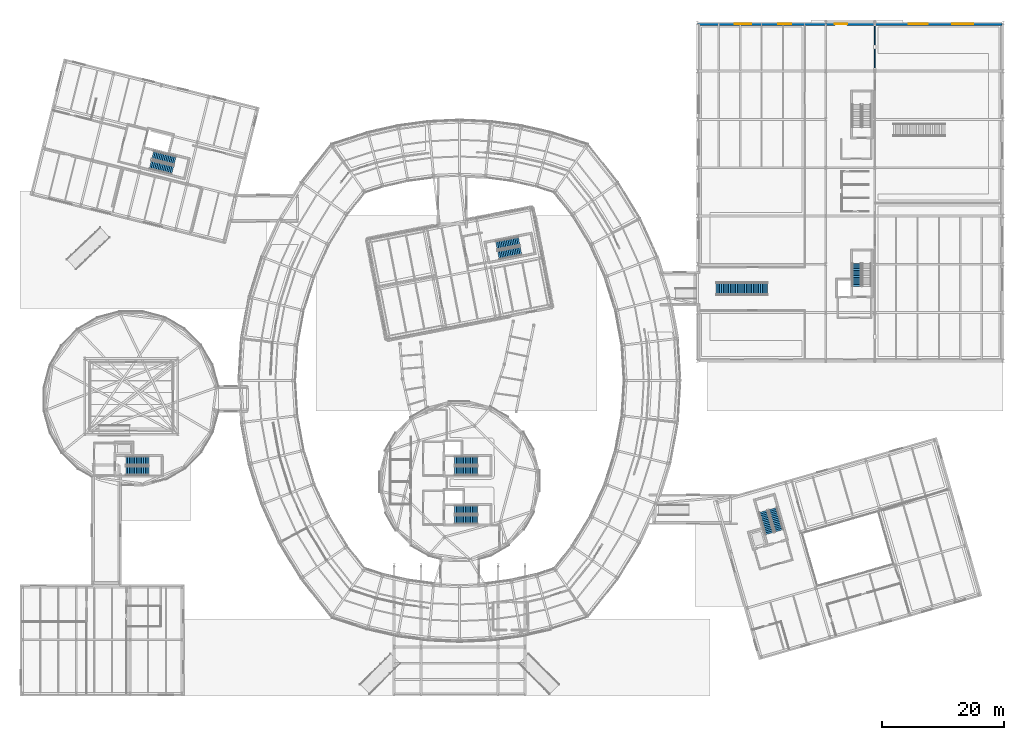
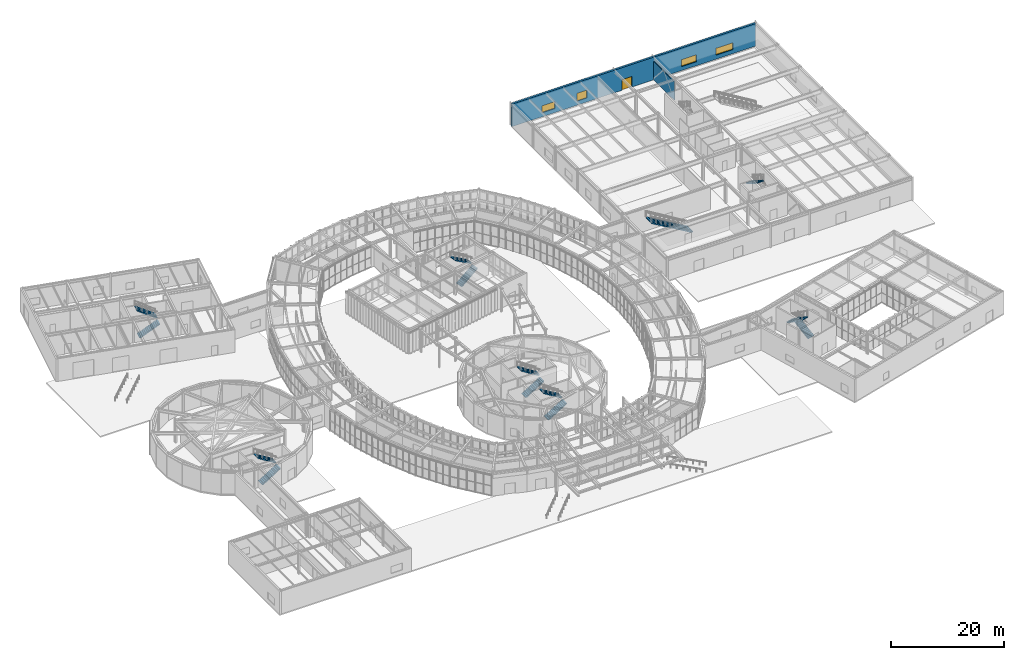
# One storey, part 80 of 97: 14 stair flights, 4 windows, 2 walls, 1 door, 5 openings, 8 elements without a shape of their own.
"""IFC4 building model written with IfcOpenShell, lengths in metres."""

from ifc_helpers import new_model, si_unit, direction, frame, frame_2d, origin, place, context, subcontext, project, spatial, polyline, rectangle, outline, extrude, material, layer, layer_set, type_object, element, fill, aggregate, save


model = new_model("IFC4")

# Units and contexts
model_context = context("Model", 3, precision=1e-05, world=origin(), true_north=direction((0.0, 1.0)))
body_context = subcontext(model_context, "Body", "Model", "MODEL_VIEW")
ifc_project = project(units=[si_unit("LENGTHUNIT", "METRE"), si_unit("AREAUNIT", "SQUARE_METRE"), si_unit("VOLUMEUNIT", "CUBIC_METRE"), si_unit("PLANEANGLEUNIT", "RADIAN"), si_unit("MASSUNIT", "GRAM", prefix="KILO")], contexts=[model_context])

# Site, building, storey
site_placement = place(None, origin())
site = spatial("IfcSite", under=ifc_project, at=site_placement, CompositionType="ELEMENT")
building_placement = place(site_placement, origin())
building = spatial("IfcBuilding", under=site, at=building_placement, Name="Varnklinge Art Gallery", CompositionType="ELEMENT")
storey_placement = place(building_placement, origin())
storey = spatial("IfcBuildingStorey", under=building, at=storey_placement, Name="L00", CompositionType="ELEMENT", Elevation=0.0)

# Wall, openings, door, windows
ifc_material_1 = material(Name="Concrete C45/55", Category="concrete")
ifc_layer_1 = layer(ifc_material_1, 0.39990234375)
ifc_layer_set_1 = layer_set([ifc_layer_1], Name="Concrete C45/55")
wall_type_1 = type_object("IfcWallType", Name="EW-40", PredefinedType="SOLIDWALL", material=ifc_layer_set_1)
wall_1_placement = place(storey_placement, frame((114.39990234375, 113.300048828125, 0.0), z_axis=(0.0, 0.0, 1.0), x_axis=(1.0, 0.0, 0.0)))
wall_1 = element("IfcWall", 1, at=wall_1_placement, inside=storey, type_object=wall_type_1, Name="L00 Exterior Wall EW-V1-L00-03", PredefinedType="SOLIDWALL", context=body_context, shape_type="SweptSolid", body=[
    extrude(rectangle(XDim=49.800048828125, YDim=0.39990234375, at=frame_2d((24.89990234375, 0.0))), origin(), (0.0, 0.0, 1.0), 4.8798828125),
])
opening_1_placement = place(wall_1_placement, frame((22.5, 0.0, 0.0)))
opening_1 = element("IfcOpeningElement", 2, at=opening_1_placement, cuts=wall_1, Name="Opening D-L00-E01", PredefinedType="OPENING", context=body_context, shape_type="SweptSolid", body=[
    extrude(rectangle(XDim=2.0, YDim=2.300048828125, at=frame_2d((1.0, 1.14990234375))), frame((0.0, 0.2099609375, 0.0), z_axis=(0.0, -1.0, 0.0), x_axis=(1.0, 0.0, 0.0)), (0.0, 0.0, 1.0), 0.419921875),
])
opening_2_placement = place(wall_1_placement, frame((6.1142578125, 0.0, 0.85009765625)))
opening_2 = element("IfcOpeningElement", 3, at=opening_2_placement, cuts=wall_1, Name="Opening WN-08", PredefinedType="OPENING", context=body_context, shape_type="SweptSolid", body=[
    extrude(rectangle(XDim=2.699951171875, YDim=1.5, at=frame_2d((1.35009765625, 0.75))), frame((0.0, 0.2099609375, 0.0), z_axis=(0.0, -1.0, 0.0), x_axis=(1.0, 0.0, 0.0)), (0.0, 0.0, 1.0), 0.419921875),
])
opening_3_placement = place(wall_1_placement, frame((13.228515625, 0.0, 0.85009765625)))
opening_3 = element("IfcOpeningElement", 4, at=opening_3_placement, cuts=wall_1, Name="Opening WN-12", PredefinedType="OPENING", context=body_context, shape_type="SweptSolid", body=[
    extrude(rectangle(XDim=2.10009765625, YDim=1.699951171875, at=frame_2d((1.050048828125, 0.85009765625))), frame((0.0, 0.2099609375, 0.0), z_axis=(0.0, -1.0, 0.0), x_axis=(1.0, 0.0, 0.0)), (0.0, 0.0, 1.0), 0.419921875),
])
opening_4_placement = place(wall_1_placement, frame((34.5712890625, 0.0, 0.85009765625)))
opening_4 = element("IfcOpeningElement", 5, at=opening_4_placement, cuts=wall_1, Name="Opening WN-19", PredefinedType="OPENING", context=body_context, shape_type="SweptSolid", body=[
    extrude(rectangle(XDim=3.10009765625, YDim=1.5, at=frame_2d((1.550048828125, 0.75))), frame((0.0, 0.2099609375, 0.0), z_axis=(0.0, -1.0, 0.0), x_axis=(1.0, 0.0, 0.0)), (0.0, 0.0, 1.0), 0.419921875),
])
opening_5_placement = place(wall_1_placement, frame((41.685791015625, 0.0, 0.85009765625)))
opening_5 = element("IfcOpeningElement", 6, at=opening_5_placement, cuts=wall_1, Name="Opening WN-20", PredefinedType="OPENING", context=body_context, shape_type="SweptSolid", body=[
    extrude(rectangle(XDim=3.39990234375, YDim=1.5, at=frame_2d((1.699951171875, 0.75))), frame((0.0, 0.2099609375, 0.0), z_axis=(0.0, -1.0, 0.0), x_axis=(1.0, 0.0, 0.0)), (0.0, 0.0, 1.0), 0.419921875),
])
ifc_material_2 = material(Name="Anodised Aluminium", Category="aluminium")
door_type = type_object("IfcDoorType", Name="ED-01", OperationType="DOUBLE_DOOR_SINGLE_SWING", PredefinedType="DOOR", material=ifc_material_2)
door_placement = place(opening_1_placement, origin())
door = element("IfcDoor", 7, at=door_placement, inside=storey, type_object=door_type, Name="L00 Shell Hall North Spine Final Exit Door D-L00-E01", OperationType="DOUBLE_DOOR_SINGLE_SWING", OverallHeight=2.300048828125, OverallWidth=2.0, PredefinedType="DOOR", context=body_context, shape_type="SweptSolid", body=[
    extrude(rectangle(XDim=2.0, YDim=2.300048828125, at=frame_2d((1.0, 1.14990234375))), frame((0.0, 0.02490234375, 0.0), z_axis=(0.0, -1.0, 0.0), x_axis=(1.0, 0.0, 0.0)), (0.0, 0.0, 1.0), 0.050048828125),
])
fill(opening_1, door)
ifc_material_3 = material(Name="Insulated Low-E Triple Glazing", Category="glass")
window_type_1 = type_object("IfcWindowType", Name="WN-08", PartitioningType="SINGLE_PANEL", PredefinedType="WINDOW", material=ifc_material_3)
window_1_placement = place(opening_2_placement, origin())
window_1 = element("IfcWindow", 8, at=window_1_placement, inside=storey, type_object=window_type_1, Name="L00 Window WIN-L00-005", OverallHeight=1.5, OverallWidth=2.699951171875, PartitioningType="SINGLE_PANEL", PredefinedType="WINDOW", context=body_context, shape_type="SweptSolid", body=[
    extrude(rectangle(XDim=2.699951171875, YDim=1.5, at=frame_2d((1.35009765625, 0.75))), frame((0.0, 0.030029296875, 0.0), z_axis=(0.0, -1.0, 0.0), x_axis=(1.0, 0.0, 0.0)), (0.0, 0.0, 1.0), 0.06005859375),
])
fill(opening_2, window_1)
ifc_material_4 = material(Name="Insulated Low-E Triple Glazing", Category="glass")
window_type_2 = type_object("IfcWindowType", Name="WN-12", PartitioningType="SINGLE_PANEL", PredefinedType="WINDOW", material=ifc_material_4)
window_2_placement = place(opening_3_placement, origin())
window_2 = element("IfcWindow", 9, at=window_2_placement, inside=storey, type_object=window_type_2, Name="L00 Window WIN-L00-006", OverallHeight=1.699951171875, OverallWidth=2.10009765625, PartitioningType="SINGLE_PANEL", PredefinedType="WINDOW", context=body_context, shape_type="SweptSolid", body=[
    extrude(rectangle(XDim=2.10009765625, YDim=1.699951171875, at=frame_2d((1.050048828125, 0.85009765625))), frame((0.0, 0.030029296875, 0.0), z_axis=(0.0, -1.0, 0.0), x_axis=(1.0, 0.0, 0.0)), (0.0, 0.0, 1.0), 0.06005859375),
])
fill(opening_3, window_2)
ifc_material_5 = material(Name="Insulated Low-E Triple Glazing", Category="glass")
window_type_3 = type_object("IfcWindowType", Name="WN-19", PartitioningType="SINGLE_PANEL", PredefinedType="WINDOW", material=ifc_material_5)
window_3_placement = place(opening_4_placement, origin())
window_3 = element("IfcWindow", 10, at=window_3_placement, inside=storey, type_object=window_type_3, Name="L00 Window WIN-L00-007", OverallHeight=1.5, OverallWidth=3.10009765625, PartitioningType="SINGLE_PANEL", PredefinedType="WINDOW", context=body_context, shape_type="SweptSolid", body=[
    extrude(rectangle(XDim=3.10009765625, YDim=1.5, at=frame_2d((1.550048828125, 0.75))), frame((0.0, 0.030029296875, 0.0), z_axis=(0.0, -1.0, 0.0), x_axis=(1.0, 0.0, 0.0)), (0.0, 0.0, 1.0), 0.06005859375),
])
fill(opening_4, window_3)
ifc_material_6 = material(Name="Insulated Low-E Triple Glazing", Category="glass")
window_type_4 = type_object("IfcWindowType", Name="WN-20", PartitioningType="SINGLE_PANEL", PredefinedType="WINDOW", material=ifc_material_6)
window_4_placement = place(opening_5_placement, origin())
window_4 = element("IfcWindow", 11, at=window_4_placement, inside=storey, type_object=window_type_4, Name="L00 Window WIN-L00-008", OverallHeight=1.5, OverallWidth=3.39990234375, PartitioningType="SINGLE_PANEL", PredefinedType="WINDOW", context=body_context, shape_type="SweptSolid", body=[
    extrude(rectangle(XDim=3.39990234375, YDim=1.5, at=frame_2d((1.699951171875, 0.75))), frame((0.0, 0.030029296875, 0.0), z_axis=(0.0, -1.0, 0.0), x_axis=(1.0, 0.0, 0.0)), (0.0, 0.0, 1.0), 0.06005859375),
])
fill(opening_5, window_4)

# Wall
ifc_material_7 = material(Name="Gypsum Board Partition", Category="gypsum")
ifc_layer_2 = layer(ifc_material_7, 0.179931640625)
ifc_layer_set_2 = layer_set([ifc_layer_2], Name="Gypsum Board Partition")
wall_type_2 = type_object("IfcWallType", Name="IW-18", PredefinedType="PARTITIONING", material=ifc_layer_set_2)
wall_2_placement = place(storey_placement, frame((143.429931640625, 113.095947265625, 0.0), z_axis=(0.0, 0.0, 1.0), x_axis=(0.0, -1.0, 0.0)))
element("IfcWall", 12, at=wall_2_placement, inside=storey, type_object=wall_type_2, Name="L00 Partition Wall IW-L00-0051", PredefinedType="PARTITIONING", context=body_context, shape_type="SweptSolid", body=[
    extrude(rectangle(XDim=7.258056640625, YDim=0.179931640625, at=frame_2d((3.62890625, 0.0))), origin(), (0.0, 0.0, 1.0), 3.9599609375),
])

# Stair, stair flights
ifc_material_8 = material(Name="Concrete C40/50", Category="concrete")
stair_type_1 = type_object("IfcStairType", Name="STR-C5100", PredefinedType="HALF_TURN_STAIR", material=ifc_material_8)
stair_1_placement = place(storey_placement, origin())
stair_1 = element("IfcStair", 13, at=stair_1_placement, inside=storey, type_object=stair_type_1, Name="L00 Core C1 Stair ST-01", PredefinedType="HALF_TURN_STAIR")
ifc_material_9 = material(Name="Concrete C40/50", Category="concrete")
stair_flight_type_1 = type_object("IfcStairFlightType", Name="FLT-C5100", PredefinedType="STRAIGHT", material=ifc_material_9)
stair_flight_1_placement = place(storey_placement, frame((74.699951171875, 32.22509765625, 0.0), z_axis=(0.0, 0.0, 1.0), x_axis=(1.0, 0.0, 0.0)))
stair_flight_1 = element("IfcStairFlight", 14, at=stair_flight_1_placement, type_object=stair_flight_type_1, Name="ST-01 flight 1", NumberOfRisers=14, NumberOfTreads=13, PredefinedType="STRAIGHT", RiserHeight=0.182142857, TreadLength=0.29, context=body_context, shape_type="SweptSolid", body=[
    extrude(outline(polyline([(0.0, 0.0), (0.0, 0.18212890625), (0.2900390625, 0.18212890625), (0.2900390625, 0.3642578125), (0.580078125, 0.3642578125), (0.580078125, 0.54638671875), (0.8701171875, 0.54638671875), (0.8701171875, 0.728515625), (1.159912109375, 0.728515625), (1.159912109375, 0.91064453125), (1.449951171875, 0.91064453125), (1.449951171875, 1.0927734375), (1.739990234375, 1.0927734375), (1.739990234375, 1.27490234375), (2.030029296875, 1.27490234375), (2.030029296875, 1.45703125), (2.320068359375, 1.45703125), (2.320068359375, 1.639404296875), (2.610107421875, 1.639404296875), (2.610107421875, 1.821533203125), (2.89990234375, 1.821533203125), (2.89990234375, 2.003662109375), (3.18994140625, 2.003662109375), (3.18994140625, 2.185791015625), (3.47998046875, 2.185791015625), (3.47998046875, 2.367919921875), (3.77001953125, 2.367919921875), (3.77001953125, 2.550048828125), (3.77001953125, 2.178955078125), (0.300537109375, 0.0), (0.0, 0.0)])), frame((0.0, 0.72509765625, 0.0), z_axis=(0.0, -1.0, 0.0), x_axis=(1.0, 0.0, 0.0)), (0.0, 0.0, 1.0), 1.449951171875),
])
stair_flight_2_placement = place(storey_placement, frame((78.469970703125, 33.8349609375, 2.550048828125), z_axis=(0.0, 0.0, 1.0), x_axis=(-1.0, 0.0, 0.0)))
stair_flight_2 = element("IfcStairFlight", 15, at=stair_flight_2_placement, type_object=stair_flight_type_1, Name="ST-01 flight 2", NumberOfRisers=14, NumberOfTreads=13, PredefinedType="STRAIGHT", RiserHeight=0.182142857, TreadLength=0.29, context=body_context, shape_type="SweptSolid", body=[
    extrude(outline(polyline([(0.0, 0.0), (0.0, 0.18212890625), (0.2900390625, 0.18212890625), (0.2900390625, 0.3642578125), (0.580078125, 0.3642578125), (0.580078125, 0.54638671875), (0.8701171875, 0.54638671875), (0.8701171875, 0.728515625), (1.159912109375, 0.728515625), (1.159912109375, 0.91064453125), (1.449951171875, 0.91064453125), (1.449951171875, 1.0927734375), (1.739990234375, 1.0927734375), (1.739990234375, 1.27490234375), (2.030029296875, 1.27490234375), (2.030029296875, 1.45703125), (2.320068359375, 1.45703125), (2.320068359375, 1.639404296875), (2.610107421875, 1.639404296875), (2.610107421875, 1.821533203125), (2.89990234375, 1.821533203125), (2.89990234375, 2.003662109375), (3.18994140625, 2.003662109375), (3.18994140625, 2.185791015625), (3.47998046875, 2.185791015625), (3.47998046875, 2.367919921875), (3.77001953125, 2.367919921875), (3.77001953125, 2.550048828125), (3.77001953125, 2.178955078125), (0.300537109375, 0.0), (0.0, 0.0)])), frame((0.0, 0.72509765625, 0.0), z_axis=(0.0, -1.0, 0.0), x_axis=(1.0, 0.0, 0.0)), (0.0, 0.0, 1.0), 1.449951171875),
])
aggregate(stair_1, [stair_flight_1, stair_flight_2])

stair_2_placement = place(storey_placement, origin())
stair_2 = element("IfcStair", 16, at=stair_2_placement, inside=storey, type_object=stair_type_1, Name="L00 Core C2 Stair ST-02", PredefinedType="HALF_TURN_STAIR")
stair_flight_3_placement = place(storey_placement, frame((74.699951171875, 40.22509765625, 0.0), z_axis=(0.0, 0.0, 1.0), x_axis=(1.0, 0.0, 0.0)))
stair_flight_3 = element("IfcStairFlight", 17, at=stair_flight_3_placement, type_object=stair_flight_type_1, Name="ST-02 flight 1", NumberOfRisers=14, NumberOfTreads=13, PredefinedType="STRAIGHT", RiserHeight=0.182142857, TreadLength=0.29, context=body_context, shape_type="SweptSolid", body=[
    extrude(outline(polyline([(0.0, 0.0), (0.0, 0.18212890625), (0.2900390625, 0.18212890625), (0.2900390625, 0.3642578125), (0.580078125, 0.3642578125), (0.580078125, 0.54638671875), (0.8701171875, 0.54638671875), (0.8701171875, 0.728515625), (1.159912109375, 0.728515625), (1.159912109375, 0.91064453125), (1.449951171875, 0.91064453125), (1.449951171875, 1.0927734375), (1.739990234375, 1.0927734375), (1.739990234375, 1.27490234375), (2.030029296875, 1.27490234375), (2.030029296875, 1.45703125), (2.320068359375, 1.45703125), (2.320068359375, 1.639404296875), (2.610107421875, 1.639404296875), (2.610107421875, 1.821533203125), (2.89990234375, 1.821533203125), (2.89990234375, 2.003662109375), (3.18994140625, 2.003662109375), (3.18994140625, 2.185791015625), (3.47998046875, 2.185791015625), (3.47998046875, 2.367919921875), (3.77001953125, 2.367919921875), (3.77001953125, 2.550048828125), (3.77001953125, 2.178955078125), (0.300537109375, 0.0), (0.0, 0.0)])), frame((0.0, 0.72509765625, 0.0), z_axis=(0.0, -1.0, 0.0), x_axis=(1.0, 0.0, 0.0)), (0.0, 0.0, 1.0), 1.449951171875),
])
stair_flight_4_placement = place(storey_placement, frame((78.469970703125, 41.8349609375, 2.550048828125), z_axis=(0.0, 0.0, 1.0), x_axis=(-1.0, 0.0, 0.0)))
stair_flight_4 = element("IfcStairFlight", 18, at=stair_flight_4_placement, type_object=stair_flight_type_1, Name="ST-02 flight 2", NumberOfRisers=14, NumberOfTreads=13, PredefinedType="STRAIGHT", RiserHeight=0.182142857, TreadLength=0.29, context=body_context, shape_type="SweptSolid", body=[
    extrude(outline(polyline([(0.0, 0.0), (0.0, 0.18212890625), (0.2900390625, 0.18212890625), (0.2900390625, 0.3642578125), (0.580078125, 0.3642578125), (0.580078125, 0.54638671875), (0.8701171875, 0.54638671875), (0.8701171875, 0.728515625), (1.159912109375, 0.728515625), (1.159912109375, 0.91064453125), (1.449951171875, 0.91064453125), (1.449951171875, 1.0927734375), (1.739990234375, 1.0927734375), (1.739990234375, 1.27490234375), (2.030029296875, 1.27490234375), (2.030029296875, 1.45703125), (2.320068359375, 1.45703125), (2.320068359375, 1.639404296875), (2.610107421875, 1.639404296875), (2.610107421875, 1.821533203125), (2.89990234375, 1.821533203125), (2.89990234375, 2.003662109375), (3.18994140625, 2.003662109375), (3.18994140625, 2.185791015625), (3.47998046875, 2.185791015625), (3.47998046875, 2.367919921875), (3.77001953125, 2.367919921875), (3.77001953125, 2.550048828125), (3.77001953125, 2.178955078125), (0.300537109375, 0.0), (0.0, 0.0)])), frame((0.0, 0.72509765625, 0.0), z_axis=(0.0, -1.0, 0.0), x_axis=(1.0, 0.0, 0.0)), (0.0, 0.0, 1.0), 1.449951171875),
])
aggregate(stair_2, [stair_flight_3, stair_flight_4])

# Stair, stair flight
stair_3_placement = place(storey_placement, origin())
stair_3 = element("IfcStair", 19, at=stair_3_placement, inside=storey, type_object=stair_type_1, Name="L00 Core C3 Stair ST-03", PredefinedType="HALF_TURN_STAIR")
stair_flight_5_placement = place(storey_placement, frame((140.465087890625, 74.169921875, 2.550048828125), z_axis=(0.0, 0.0, 1.0), x_axis=(0.0, -1.0, 0.0)))
stair_flight_5 = element("IfcStairFlight", 20, at=stair_flight_5_placement, type_object=stair_flight_type_1, Name="ST-03 flight 2", NumberOfRisers=14, NumberOfTreads=13, PredefinedType="STRAIGHT", RiserHeight=0.182142857, TreadLength=0.29, context=body_context, shape_type="SweptSolid", body=[
    extrude(outline(polyline([(0.0, 0.0), (0.0, 0.18212890625), (0.2900390625, 0.18212890625), (0.2900390625, 0.3642578125), (0.580078125, 0.3642578125), (0.580078125, 0.54638671875), (0.8701171875, 0.54638671875), (0.8701171875, 0.728515625), (1.159912109375, 0.728515625), (1.159912109375, 0.91064453125), (1.449951171875, 0.91064453125), (1.449951171875, 1.0927734375), (1.739990234375, 1.0927734375), (1.739990234375, 1.27490234375), (2.030029296875, 1.27490234375), (2.030029296875, 1.45703125), (2.320068359375, 1.45703125), (2.320068359375, 1.639404296875), (2.610107421875, 1.639404296875), (2.610107421875, 1.821533203125), (2.89990234375, 1.821533203125), (2.89990234375, 2.003662109375), (3.18994140625, 2.003662109375), (3.18994140625, 2.185791015625), (3.47998046875, 2.185791015625), (3.47998046875, 2.367919921875), (3.77001953125, 2.367919921875), (3.77001953125, 2.550048828125), (3.77001953125, 2.178955078125), (0.300537109375, 0.0), (0.0, 0.0)])), frame((0.0, 0.72509765625, 0.0), z_axis=(0.0, -1.0, 0.0), x_axis=(1.0, 0.0, 0.0)), (0.0, 0.0, 1.0), 1.449951171875),
])
aggregate(stair_3, [stair_flight_5])

# Stair, stair flights
stair_4_placement = place(storey_placement, origin())
stair_4 = element("IfcStair", 21, at=stair_4_placement, inside=storey, type_object=stair_type_1, Name="L00 Core C4 Stair ST-04", PredefinedType="HALF_TURN_STAIR")
stair_flight_6_placement = place(storey_placement, frame((24.911865234375, 90.300537109375, 0.0), z_axis=(0.0, 0.0, 1.0), x_axis=(0.970295726276, -0.2419218956, 0.0)))
stair_flight_6 = element("IfcStairFlight", 22, at=stair_flight_6_placement, type_object=stair_flight_type_1, Name="ST-04 flight 1", NumberOfRisers=14, NumberOfTreads=13, PredefinedType="STRAIGHT", RiserHeight=0.182142857, TreadLength=0.29, context=body_context, shape_type="SweptSolid", body=[
    extrude(outline(polyline([(0.0, 0.0), (0.0, 0.18212890625), (0.2900390625, 0.18212890625), (0.2900390625, 0.3642578125), (0.580078125, 0.3642578125), (0.580078125, 0.54638671875), (0.8701171875, 0.54638671875), (0.8701171875, 0.728515625), (1.159912109375, 0.728515625), (1.159912109375, 0.91064453125), (1.449951171875, 0.91064453125), (1.449951171875, 1.0927734375), (1.739990234375, 1.0927734375), (1.739990234375, 1.27490234375), (2.030029296875, 1.27490234375), (2.030029296875, 1.45703125), (2.320068359375, 1.45703125), (2.320068359375, 1.639404296875), (2.610107421875, 1.639404296875), (2.610107421875, 1.821533203125), (2.89990234375, 1.821533203125), (2.89990234375, 2.003662109375), (3.18994140625, 2.003662109375), (3.18994140625, 2.185791015625), (3.47998046875, 2.185791015625), (3.47998046875, 2.367919921875), (3.77001953125, 2.367919921875), (3.77001953125, 2.550048828125), (3.77001953125, 2.178955078125), (0.300537109375, 0.0), (0.0, 0.0)])), frame((0.0, 0.72509765625, 0.0), z_axis=(0.0, -1.0, 0.0), x_axis=(1.0, 0.0, 0.0)), (0.0, 0.0, 1.0), 1.449951171875),
])
stair_flight_7_placement = place(storey_placement, frame((28.95947265625, 90.95068359375, 2.550048828125), z_axis=(0.0, 0.0, 1.0), x_axis=(-0.970295726276, 0.2419218956, 0.0)))
stair_flight_7 = element("IfcStairFlight", 23, at=stair_flight_7_placement, type_object=stair_flight_type_1, Name="ST-04 flight 2", NumberOfRisers=14, NumberOfTreads=13, PredefinedType="STRAIGHT", RiserHeight=0.182142857, TreadLength=0.29, context=body_context, shape_type="SweptSolid", body=[
    extrude(outline(polyline([(0.0, 0.0), (0.0, 0.18212890625), (0.2900390625, 0.18212890625), (0.2900390625, 0.3642578125), (0.580078125, 0.3642578125), (0.580078125, 0.54638671875), (0.8701171875, 0.54638671875), (0.8701171875, 0.728515625), (1.159912109375, 0.728515625), (1.159912109375, 0.91064453125), (1.449951171875, 0.91064453125), (1.449951171875, 1.0927734375), (1.739990234375, 1.0927734375), (1.739990234375, 1.27490234375), (2.030029296875, 1.27490234375), (2.030029296875, 1.45703125), (2.320068359375, 1.45703125), (2.320068359375, 1.639404296875), (2.610107421875, 1.639404296875), (2.610107421875, 1.821533203125), (2.89990234375, 1.821533203125), (2.89990234375, 2.003662109375), (3.18994140625, 2.003662109375), (3.18994140625, 2.185791015625), (3.47998046875, 2.185791015625), (3.47998046875, 2.367919921875), (3.77001953125, 2.367919921875), (3.77001953125, 2.550048828125), (3.77001953125, 2.178955078125), (0.300537109375, 0.0), (0.0, 0.0)])), frame((0.0, 0.72509765625, 0.0), z_axis=(0.0, -1.0, 0.0), x_axis=(1.0, 0.0, 0.0)), (0.0, 0.0, 1.0), 1.449951171875),
])
aggregate(stair_4, [stair_flight_6, stair_flight_7])

stair_5_placement = place(storey_placement, origin())
stair_5 = element("IfcStair", 24, at=stair_5_placement, inside=storey, type_object=stair_type_1, Name="L00 Core C5 Stair ST-05", PredefinedType="HALF_TURN_STAIR")
stair_flight_8_placement = place(storey_placement, frame((127.765625, 30.408447265625, 0.0), z_axis=(0.0, 0.0, 1.0), x_axis=(-0.275637355817, 0.961261695938, 0.0)))
stair_flight_8 = element("IfcStairFlight", 25, at=stair_flight_8_placement, type_object=stair_flight_type_1, Name="ST-05 flight 1", NumberOfRisers=14, NumberOfTreads=13, PredefinedType="STRAIGHT", RiserHeight=0.182142857, TreadLength=0.29, context=body_context, shape_type="SweptSolid", body=[
    extrude(outline(polyline([(0.0, 0.0), (0.0, 0.18212890625), (0.2900390625, 0.18212890625), (0.2900390625, 0.3642578125), (0.580078125, 0.3642578125), (0.580078125, 0.54638671875), (0.8701171875, 0.54638671875), (0.8701171875, 0.728515625), (1.159912109375, 0.728515625), (1.159912109375, 0.91064453125), (1.449951171875, 0.91064453125), (1.449951171875, 1.0927734375), (1.739990234375, 1.0927734375), (1.739990234375, 1.27490234375), (2.030029296875, 1.27490234375), (2.030029296875, 1.45703125), (2.320068359375, 1.45703125), (2.320068359375, 1.639404296875), (2.610107421875, 1.639404296875), (2.610107421875, 1.821533203125), (2.89990234375, 1.821533203125), (2.89990234375, 2.003662109375), (3.18994140625, 2.003662109375), (3.18994140625, 2.185791015625), (3.47998046875, 2.185791015625), (3.47998046875, 2.367919921875), (3.77001953125, 2.367919921875), (3.77001953125, 2.550048828125), (3.77001953125, 2.178955078125), (0.300537109375, 0.0), (0.0, 0.0)])), frame((0.0, 0.72509765625, 0.0), z_axis=(0.0, -1.0, 0.0), x_axis=(1.0, 0.0, 0.0)), (0.0, 0.0, 1.0), 1.449951171875),
])
stair_flight_9_placement = place(storey_placement, frame((125.178955078125, 33.588623046875, 2.550048828125), z_axis=(0.0, 0.0, 1.0), x_axis=(0.275637355817, -0.961261695938, 0.0)))
stair_flight_9 = element("IfcStairFlight", 26, at=stair_flight_9_placement, type_object=stair_flight_type_1, Name="ST-05 flight 2", NumberOfRisers=14, NumberOfTreads=13, PredefinedType="STRAIGHT", RiserHeight=0.182142857, TreadLength=0.29, context=body_context, shape_type="SweptSolid", body=[
    extrude(outline(polyline([(0.0, 0.0), (0.0, 0.18212890625), (0.2900390625, 0.18212890625), (0.2900390625, 0.3642578125), (0.580078125, 0.3642578125), (0.580078125, 0.54638671875), (0.8701171875, 0.54638671875), (0.8701171875, 0.728515625), (1.159912109375, 0.728515625), (1.159912109375, 0.91064453125), (1.449951171875, 0.91064453125), (1.449951171875, 1.0927734375), (1.739990234375, 1.0927734375), (1.739990234375, 1.27490234375), (2.030029296875, 1.27490234375), (2.030029296875, 1.45703125), (2.320068359375, 1.45703125), (2.320068359375, 1.639404296875), (2.610107421875, 1.639404296875), (2.610107421875, 1.821533203125), (2.89990234375, 1.821533203125), (2.89990234375, 2.003662109375), (3.18994140625, 2.003662109375), (3.18994140625, 2.185791015625), (3.47998046875, 2.185791015625), (3.47998046875, 2.367919921875), (3.77001953125, 2.367919921875), (3.77001953125, 2.550048828125), (3.77001953125, 2.178955078125), (0.300537109375, 0.0), (0.0, 0.0)])), frame((0.0, 0.72509765625, 0.0), z_axis=(0.0, -1.0, 0.0), x_axis=(1.0, 0.0, 0.0)), (0.0, 0.0, 1.0), 1.449951171875),
])
aggregate(stair_5, [stair_flight_8, stair_flight_9])

stair_6_placement = place(storey_placement, origin())
stair_6 = element("IfcStair", 27, at=stair_6_placement, inside=storey, type_object=stair_type_1, Name="L00 Core C6 Stair ST-06", PredefinedType="HALF_TURN_STAIR")
stair_flight_10_placement = place(storey_placement, frame((20.89990234375, 40.22509765625, 0.0), z_axis=(0.0, 0.0, 1.0), x_axis=(1.0, 0.0, 0.0)))
stair_flight_10 = element("IfcStairFlight", 28, at=stair_flight_10_placement, type_object=stair_flight_type_1, Name="ST-06 flight 1", NumberOfRisers=14, NumberOfTreads=13, PredefinedType="STRAIGHT", RiserHeight=0.182142857, TreadLength=0.29, context=body_context, shape_type="SweptSolid", body=[
    extrude(outline(polyline([(0.0, 0.0), (0.0, 0.18212890625), (0.2900390625, 0.18212890625), (0.2900390625, 0.3642578125), (0.580078125, 0.3642578125), (0.580078125, 0.54638671875), (0.8701171875, 0.54638671875), (0.8701171875, 0.728515625), (1.159912109375, 0.728515625), (1.159912109375, 0.91064453125), (1.449951171875, 0.91064453125), (1.449951171875, 1.0927734375), (1.739990234375, 1.0927734375), (1.739990234375, 1.27490234375), (2.030029296875, 1.27490234375), (2.030029296875, 1.45703125), (2.320068359375, 1.45703125), (2.320068359375, 1.639404296875), (2.610107421875, 1.639404296875), (2.610107421875, 1.821533203125), (2.89990234375, 1.821533203125), (2.89990234375, 2.003662109375), (3.18994140625, 2.003662109375), (3.18994140625, 2.185791015625), (3.47998046875, 2.185791015625), (3.47998046875, 2.367919921875), (3.77001953125, 2.367919921875), (3.77001953125, 2.550048828125), (3.77001953125, 2.178955078125), (0.300537109375, 0.0), (0.0, 0.0)])), frame((0.0, 0.72509765625, 0.0), z_axis=(0.0, -1.0, 0.0), x_axis=(1.0, 0.0, 0.0)), (0.0, 0.0, 1.0), 1.449951171875),
])
stair_flight_11_placement = place(storey_placement, frame((24.669921875, 41.8349609375, 2.550048828125), z_axis=(0.0, 0.0, 1.0), x_axis=(-1.0, 0.0, 0.0)))
stair_flight_11 = element("IfcStairFlight", 29, at=stair_flight_11_placement, type_object=stair_flight_type_1, Name="ST-06 flight 2", NumberOfRisers=14, NumberOfTreads=13, PredefinedType="STRAIGHT", RiserHeight=0.182142857, TreadLength=0.29, context=body_context, shape_type="SweptSolid", body=[
    extrude(outline(polyline([(0.0, 0.0), (0.0, 0.18212890625), (0.2900390625, 0.18212890625), (0.2900390625, 0.3642578125), (0.580078125, 0.3642578125), (0.580078125, 0.54638671875), (0.8701171875, 0.54638671875), (0.8701171875, 0.728515625), (1.159912109375, 0.728515625), (1.159912109375, 0.91064453125), (1.449951171875, 0.91064453125), (1.449951171875, 1.0927734375), (1.739990234375, 1.0927734375), (1.739990234375, 1.27490234375), (2.030029296875, 1.27490234375), (2.030029296875, 1.45703125), (2.320068359375, 1.45703125), (2.320068359375, 1.639404296875), (2.610107421875, 1.639404296875), (2.610107421875, 1.821533203125), (2.89990234375, 1.821533203125), (2.89990234375, 2.003662109375), (3.18994140625, 2.003662109375), (3.18994140625, 2.185791015625), (3.47998046875, 2.185791015625), (3.47998046875, 2.367919921875), (3.77001953125, 2.367919921875), (3.77001953125, 2.550048828125), (3.77001953125, 2.178955078125), (0.300537109375, 0.0), (0.0, 0.0)])), frame((0.0, 0.72509765625, 0.0), z_axis=(0.0, -1.0, 0.0), x_axis=(1.0, 0.0, 0.0)), (0.0, 0.0, 1.0), 1.449951171875),
])
aggregate(stair_6, [stair_flight_10, stair_flight_11])

stair_7_placement = place(storey_placement, origin())
stair_7 = element("IfcStair", 30, at=stair_7_placement, inside=storey, type_object=stair_type_1, Name="L00 Core C8 Stair ST-10", PredefinedType="HALF_TURN_STAIR")
stair_flight_12_placement = place(storey_placement, frame((81.845947265625, 75.49072265625, 0.0), z_axis=(0.0, 0.0, 1.0), x_axis=(0.981627183448, 0.190808995377, 0.0)))
stair_flight_12 = element("IfcStairFlight", 31, at=stair_flight_12_placement, type_object=stair_flight_type_1, Name="ST-10 flight 1", NumberOfRisers=14, NumberOfTreads=13, PredefinedType="STRAIGHT", RiserHeight=0.182142857, TreadLength=0.29, context=body_context, shape_type="SweptSolid", body=[
    extrude(outline(polyline([(0.0, 0.0), (0.0, 0.18212890625), (0.2900390625, 0.18212890625), (0.2900390625, 0.3642578125), (0.580078125, 0.3642578125), (0.580078125, 0.54638671875), (0.8701171875, 0.54638671875), (0.8701171875, 0.728515625), (1.159912109375, 0.728515625), (1.159912109375, 0.91064453125), (1.449951171875, 0.91064453125), (1.449951171875, 1.0927734375), (1.739990234375, 1.0927734375), (1.739990234375, 1.27490234375), (2.030029296875, 1.27490234375), (2.030029296875, 1.45703125), (2.320068359375, 1.45703125), (2.320068359375, 1.639404296875), (2.610107421875, 1.639404296875), (2.610107421875, 1.821533203125), (2.89990234375, 1.821533203125), (2.89990234375, 2.003662109375), (3.18994140625, 2.003662109375), (3.18994140625, 2.185791015625), (3.47998046875, 2.185791015625), (3.47998046875, 2.367919921875), (3.77001953125, 2.367919921875), (3.77001953125, 2.550048828125), (3.77001953125, 2.178955078125), (0.300537109375, 0.0), (0.0, 0.0)])), frame((0.0, 0.72509765625, 0.0), z_axis=(0.0, -1.0, 0.0), x_axis=(1.0, 0.0, 0.0)), (0.0, 0.0, 1.0), 1.449951171875),
])
stair_flight_13_placement = place(storey_placement, frame((85.239501953125, 77.79052734375, 2.550048828125), z_axis=(0.0, 0.0, 1.0), x_axis=(-0.981627183448, -0.190808995377, 0.0)))
stair_flight_13 = element("IfcStairFlight", 32, at=stair_flight_13_placement, type_object=stair_flight_type_1, Name="ST-10 flight 2", NumberOfRisers=14, NumberOfTreads=13, PredefinedType="STRAIGHT", RiserHeight=0.182142857, TreadLength=0.29, context=body_context, shape_type="SweptSolid", body=[
    extrude(outline(polyline([(0.0, 0.0), (0.0, 0.18212890625), (0.2900390625, 0.18212890625), (0.2900390625, 0.3642578125), (0.580078125, 0.3642578125), (0.580078125, 0.54638671875), (0.8701171875, 0.54638671875), (0.8701171875, 0.728515625), (1.159912109375, 0.728515625), (1.159912109375, 0.91064453125), (1.449951171875, 0.91064453125), (1.449951171875, 1.0927734375), (1.739990234375, 1.0927734375), (1.739990234375, 1.27490234375), (2.030029296875, 1.27490234375), (2.030029296875, 1.45703125), (2.320068359375, 1.45703125), (2.320068359375, 1.639404296875), (2.610107421875, 1.639404296875), (2.610107421875, 1.821533203125), (2.89990234375, 1.821533203125), (2.89990234375, 2.003662109375), (3.18994140625, 2.003662109375), (3.18994140625, 2.185791015625), (3.47998046875, 2.185791015625), (3.47998046875, 2.367919921875), (3.77001953125, 2.367919921875), (3.77001953125, 2.550048828125), (3.77001953125, 2.178955078125), (0.300537109375, 0.0), (0.0, 0.0)])), frame((0.0, 0.72509765625, 0.0), z_axis=(0.0, -1.0, 0.0), x_axis=(1.0, 0.0, 0.0)), (0.0, 0.0, 1.0), 1.449951171875),
])
aggregate(stair_7, [stair_flight_12, stair_flight_13])

# Stair, stair flight
ifc_material_10 = material(Name="Steel S355", Category="steel")
stair_type_2 = type_object("IfcStairType", Name="STR-F510", PredefinedType="STRAIGHT_RUN_STAIR", material=ifc_material_10)
stair_8_placement = place(storey_placement, origin())
stair_8 = element("IfcStair", 33, at=stair_8_placement, inside=storey, type_object=stair_type_2, Name="L00 West Gallery Feature Stair ST-11", PredefinedType="STRAIGHT_RUN_STAIR")
ifc_material_11 = material(Name="Steel S355", Category="steel")
stair_flight_type_2 = type_object("IfcStairFlightType", Name="FLT-F510", PredefinedType="STRAIGHT", material=ifc_material_11)
stair_flight_14_placement = place(storey_placement, frame((125.885009765625, 70.0, 0.0), z_axis=(0.0, 0.0, 1.0), x_axis=(-1.0, 0.0, 0.0)))
stair_flight_14 = element("IfcStairFlight", 34, at=stair_flight_14_placement, type_object=stair_flight_type_2, Name="L00 West Gallery Feature Stair Flight ST-11", NumberOfRisers=30, NumberOfTreads=29, PredefinedType="STRAIGHT", RiserHeight=0.17, TreadLength=0.29, context=body_context, shape_type="SweptSolid", body=[
    extrude(outline(polyline([(0.0, 0.0), (0.0, 0.169921875), (0.2900390625, 0.169921875), (0.2900390625, 0.340087890625), (0.580078125, 0.340087890625), (0.580078125, 0.510009765625), (0.8701171875, 0.510009765625), (0.8701171875, 0.679931640625), (1.159912109375, 0.679931640625), (1.159912109375, 0.85009765625), (1.449951171875, 0.85009765625), (1.449951171875, 1.02001953125), (1.739990234375, 1.02001953125), (1.739990234375, 1.18994140625), (2.030029296875, 1.18994140625), (2.030029296875, 1.360107421875), (2.320068359375, 1.360107421875), (2.320068359375, 1.530029296875), (2.610107421875, 1.530029296875), (2.610107421875, 1.699951171875), (2.89990234375, 1.699951171875), (2.89990234375, 1.8701171875), (3.18994140625, 1.8701171875), (3.18994140625, 2.0400390625), (3.47998046875, 2.0400390625), (3.47998046875, 2.2099609375), (3.77001953125, 2.2099609375), (3.77001953125, 2.3798828125), (4.06005859375, 2.3798828125), (4.06005859375, 2.550048828125), (4.35009765625, 2.550048828125), (4.35009765625, 2.719970703125), (4.639892578125, 2.719970703125), (4.639892578125, 2.889892578125), (4.929931640625, 2.889892578125), (4.929931640625, 3.06005859375), (5.219970703125, 3.06005859375), (5.219970703125, 3.22998046875), (5.510009765625, 3.22998046875), (5.510009765625, 3.39990234375), (5.800048828125, 3.39990234375), (5.800048828125, 3.570068359375), (6.090087890625, 3.570068359375), (6.090087890625, 3.739990234375), (6.3798828125, 3.739990234375), (6.3798828125, 3.909912109375), (6.669921875, 3.909912109375), (6.669921875, 4.080078125), (6.9599609375, 4.080078125), (6.9599609375, 4.25), (7.25, 4.25), (7.25, 4.419921875), (7.5400390625, 4.419921875), (7.5400390625, 4.590087890625), (7.830078125, 4.590087890625), (7.830078125, 4.760009765625), (8.1201171875, 4.760009765625), (8.1201171875, 4.929931640625), (8.409912109375, 4.929931640625), (8.409912109375, 5.10009765625), (8.409912109375, 4.721435546875), (0.355712890625, 0.0), (0.0, 0.0)])), frame((0.0, 1.050048828125, 0.0), z_axis=(0.0, -1.0, 0.0), x_axis=(1.0, 0.0, 0.0)), (0.0, 0.0, 1.0), 2.10009765625),
])
aggregate(stair_8, [stair_flight_14])

save(model, "model.ifc")
